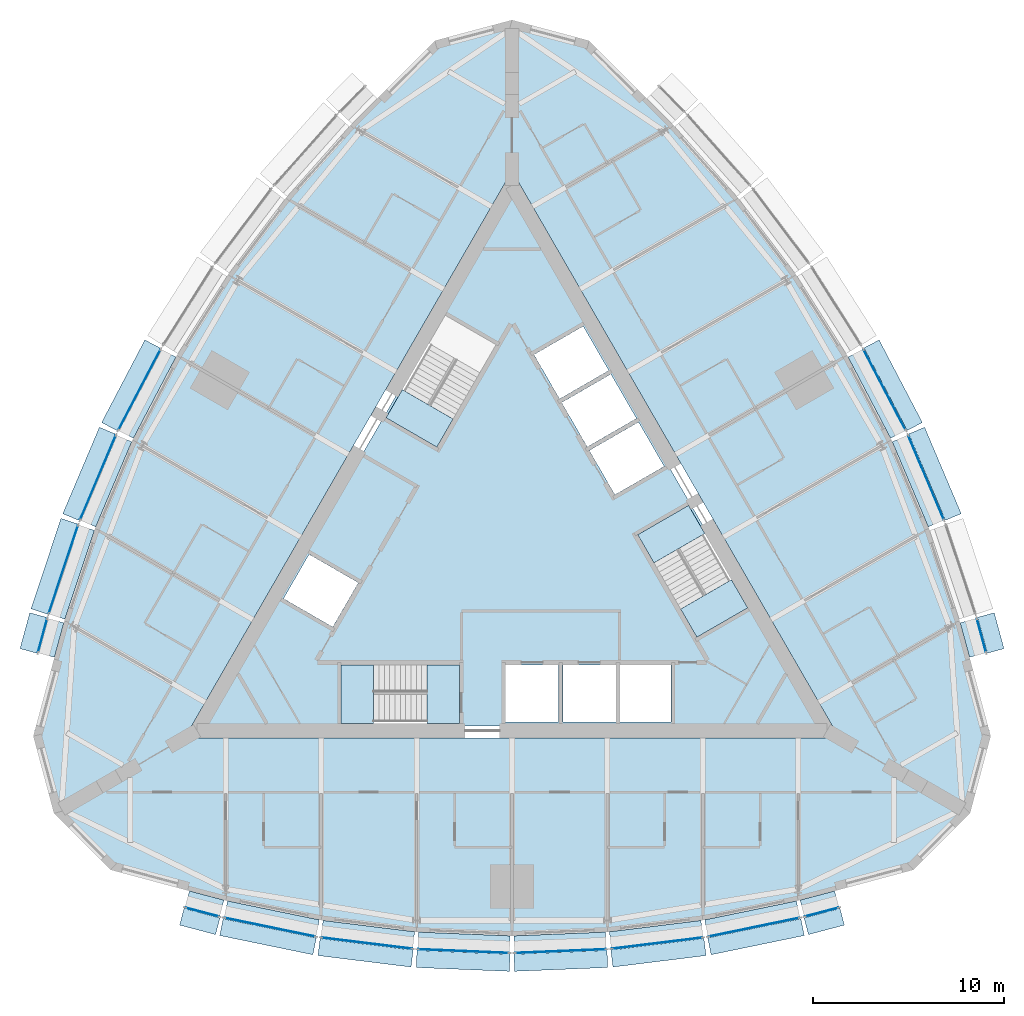
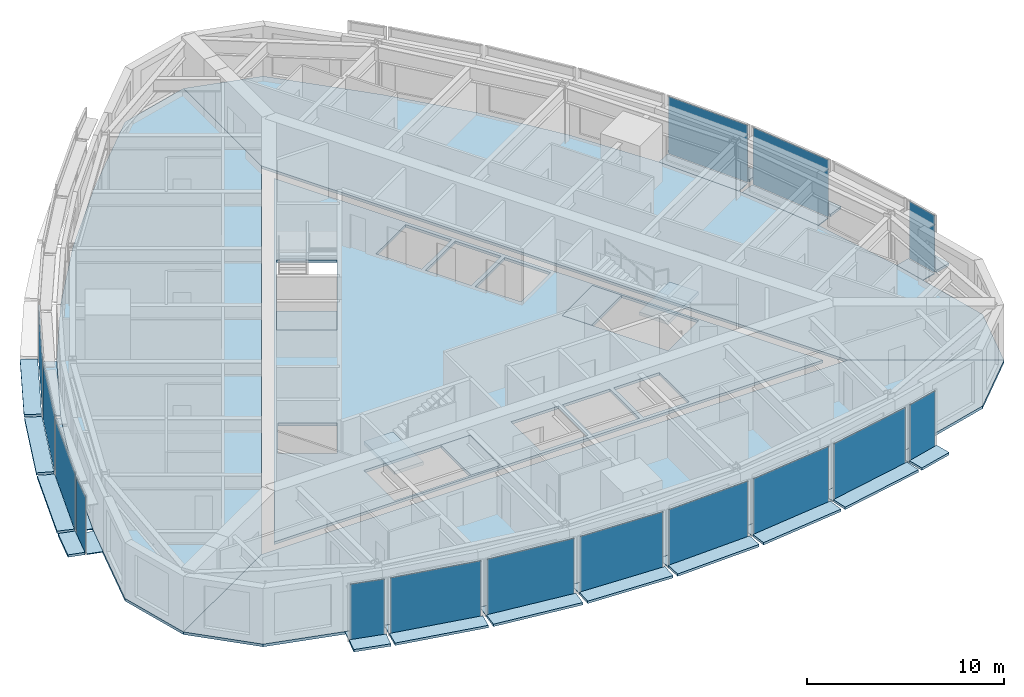
# One storey, part 7 of 15: 45 plates, 9 slabs, 18 elements without a shape of their own.
"""IFC4 building model written with IfcOpenShell, lengths in metres."""

from ifc_helpers import new_model, si_unit, direction, frame, origin, origin_2d, place, context, subcontext, project, spatial, polyline, rectangle, outline, extrude, material, layer, layer_set, type_object, element, aggregate, save


model = new_model("IFC4")

# Units and contexts
model_context = context("Model", 3, precision=1e-05, world=origin(), true_north=direction((0.0, 1.0)))
body_context = subcontext(model_context, "Body", "Model", "MODEL_VIEW")
ifc_project = project(units=[si_unit("LENGTHUNIT", "METRE"), si_unit("AREAUNIT", "SQUARE_METRE"), si_unit("VOLUMEUNIT", "CUBIC_METRE"), si_unit("PLANEANGLEUNIT", "RADIAN"), si_unit("MASSUNIT", "GRAM", prefix="KILO")], contexts=[model_context])

# Site, building, storey
site_placement = place(None, origin())
site = spatial("IfcSite", under=ifc_project, at=site_placement, CompositionType="ELEMENT")
building_placement = place(site_placement, origin())
building = spatial("IfcBuilding", under=site, at=building_placement, Name="Trikona Tower", CompositionType="ELEMENT")
storey_placement = place(building_placement, frame((0.0, 0.0, 222.5)))
storey = spatial("IfcBuildingStorey", under=building, at=storey_placement, Name="L59", CompositionType="ELEMENT", Elevation=222.5)

# Plates
ifc_material_1 = material(Name="Aluminium bar grating", Category="aluminium")
ifc_layer_1 = layer(ifc_material_1, 0.050048828125)
ifc_layer_set_1 = layer_set([ifc_layer_1], Name="Cavity catwalk grating")
plate_type_1 = type_object("IfcPlateType", Name="Cavity catwalk grating", PredefinedType="USERDEFINED", material=ifc_layer_set_1)
plate_1_placement = place(storey_placement, frame((-16.10693359375, -18.5673828125, -0.0498046875), z_axis=(0.0, 0.0, 1.0), x_axis=(0.966993038714, -0.254802792527, 0.0)))
element("IfcPlate", 1, at=plate_1_placement, inside=storey, type_object=plate_type_1, Name="Cavity catwalk L59-00", ObjectType="CATWALK GRATING", PredefinedType="USERDEFINED", context=body_context, shape_type="SweptSolid", body=[
    extrude(rectangle(XDim=1.868408203125, YDim=0.840087890625, at=origin_2d()), origin(), (0.0, 0.0, 1.0), 0.050048828125),
])
plate_2_placement = place(storey_placement, frame((-12.584716796875, -19.35107421875, -0.0498046875), z_axis=(0.0, 0.0, 1.0), x_axis=(0.979457514864, -0.201650629992, 0.0)))
element("IfcPlate", 2, at=plate_2_placement, inside=storey, type_object=plate_type_1, Name="Cavity catwalk L59-01", ObjectType="CATWALK GRATING", PredefinedType="USERDEFINED", context=body_context, shape_type="SweptSolid", body=[
    extrude(rectangle(XDim=4.90478515625, YDim=0.840087890625, at=origin_2d()), origin(), (0.0, 0.0, 1.0), 0.050048828125),
])
plate_3_placement = place(storey_placement, frame((-7.551513671875, -20.179931640625, -0.0498046875), z_axis=(0.0, 0.0, 1.0), x_axis=(0.992455266199, -0.122607277901, 0.0)))
element("IfcPlate", 3, at=plate_3_placement, inside=storey, type_object=plate_type_1, Name="Cavity catwalk L59-02", ObjectType="CATWALK GRATING", PredefinedType="USERDEFINED", context=body_context, shape_type="SweptSolid", body=[
    extrude(rectangle(XDim=4.837890625, YDim=0.840087890625, at=origin_2d()), origin(), (0.0, 0.0, 1.0), 0.050048828125),
])
for number, where, z_axis, x_axis, name in (
    (4, (-2.517333984375, -20.594482421875, -0.0498046875), (0.0, 0.0, 1.0), (0.999153186307, -0.041144991109, 0.0), "Cavity catwalk L59-03"),
    (5, (2.517333984375, -20.594482421875, -0.0498046875), (0.0, 0.0, 1.0), (0.999153186307, 0.041144991109, 0.0), "Cavity catwalk L59-04"),
):
    element("IfcPlate", number, at=place(storey_placement, frame(where, z_axis=z_axis, x_axis=x_axis)), inside=storey, type_object=plate_type_1, Name=name, ObjectType="CATWALK GRATING", PredefinedType="USERDEFINED", context=body_context, shape_type="SweptSolid", body=[
        extrude(rectangle(XDim=4.80419921875, YDim=0.840087890625, at=origin_2d()), origin(), (0.0, 0.0, 1.0), 0.050048828125),
    ])
plate_4_placement = place(storey_placement, frame((7.551513671875, -20.179931640625, -0.0498046875), z_axis=(0.0, 0.0, 1.0), x_axis=(0.992455266199, 0.122607277901, 0.0)))
element("IfcPlate", 6, at=plate_4_placement, inside=storey, type_object=plate_type_1, Name="Cavity catwalk L59-05", ObjectType="CATWALK GRATING", PredefinedType="USERDEFINED", context=body_context, shape_type="SweptSolid", body=[
    extrude(rectangle(XDim=4.837890625, YDim=0.840087890625, at=origin_2d()), origin(), (0.0, 0.0, 1.0), 0.050048828125),
])
plate_5_placement = place(storey_placement, frame((12.584716796875, -19.35107421875, -0.0498046875), z_axis=(0.0, 0.0, 1.0), x_axis=(0.979457514864, 0.201650629992, 0.0)))
element("IfcPlate", 7, at=plate_5_placement, inside=storey, type_object=plate_type_1, Name="Cavity catwalk L59-06", ObjectType="CATWALK GRATING", PredefinedType="USERDEFINED", context=body_context, shape_type="SweptSolid", body=[
    extrude(rectangle(XDim=4.90478515625, YDim=0.840087890625, at=origin_2d()), origin(), (0.0, 0.0, 1.0), 0.050048828125),
])
for number, where, z_axis, x_axis, name in (
    (8, (16.10693359375, -18.5673828125, -0.0498046875), (0.0, 0.0, 1.0), (0.966993038714, 0.254802792527, 0.0), "Cavity catwalk L59-07"),
    (9, (24.13330078125, -4.665283203125, -0.0498046875), (0.0, 0.0, 1.0), (-0.262822408229, 0.964844226667, 0.0), "Cavity catwalk L59-12"),
):
    element("IfcPlate", number, at=place(storey_placement, frame(where, z_axis=z_axis, x_axis=x_axis)), inside=storey, type_object=plate_type_1, Name=name, ObjectType="CATWALK GRATING", PredefinedType="USERDEFINED", context=body_context, shape_type="SweptSolid", body=[
        extrude(rectangle(XDim=1.868408203125, YDim=0.840087890625, at=origin_2d()), origin(), (0.0, 0.0, 1.0), 0.050048828125),
    ])
plate_6_placement = place(storey_placement, frame((21.252197265625, 3.55029296875, -0.0498046875), z_axis=(0.0, 0.0, 1.0), x_axis=(-0.390051437015, 0.920793069306, 0.0)))
element("IfcPlate", 10, at=plate_6_placement, inside=storey, type_object=plate_type_1, Name="Cavity catwalk L59-14", ObjectType="CATWALK GRATING", PredefinedType="USERDEFINED", context=body_context, shape_type="SweptSolid", body=[
    extrude(rectangle(XDim=4.837890625, YDim=0.840087890625, at=origin_2d()), origin(), (0.0, 0.0, 1.0), 0.050048828125),
])
for number, where, z_axis, x_axis, name in (
    (11, (19.093994140625, 8.1171875, -0.0498046875), (0.0, 0.0, 1.0), (-0.463951716224, 0.885860488459, 0.0), "Cavity catwalk L59-15"),
    (12, (-19.093994140625, 8.1171875, -0.0498046875), (0.0, 0.0, 1.0), (-0.463951716224, -0.885860488459, 0.0), "Cavity catwalk L59-28"),
):
    element("IfcPlate", number, at=place(storey_placement, frame(where, z_axis=z_axis, x_axis=x_axis)), inside=storey, type_object=plate_type_1, Name=name, ObjectType="CATWALK GRATING", PredefinedType="USERDEFINED", context=body_context, shape_type="SweptSolid", body=[
        extrude(rectangle(XDim=4.80419921875, YDim=0.840087890625, at=origin_2d()), origin(), (0.0, 0.0, 1.0), 0.050048828125),
    ])
plate_7_placement = place(storey_placement, frame((-21.252197265625, 3.55029296875, -0.0498046875), z_axis=(0.0, 0.0, 1.0), x_axis=(-0.390051437015, -0.920793069306, 0.0)))
element("IfcPlate", 13, at=plate_7_placement, inside=storey, type_object=plate_type_1, Name="Cavity catwalk L59-29", ObjectType="CATWALK GRATING", PredefinedType="USERDEFINED", context=body_context, shape_type="SweptSolid", body=[
    extrude(rectangle(XDim=4.837890625, YDim=0.840087890625, at=origin_2d()), origin(), (0.0, 0.0, 1.0), 0.050048828125),
])
plate_8_placement = place(storey_placement, frame((-23.05078125, -1.22314453125, -0.0498046875), z_axis=(0.0, 0.0, 1.0), x_axis=(-0.315092532747, -0.949060954737, 0.0)))
element("IfcPlate", 14, at=plate_8_placement, inside=storey, type_object=plate_type_1, Name="Cavity catwalk L59-30", ObjectType="CATWALK GRATING", PredefinedType="USERDEFINED", context=body_context, shape_type="SweptSolid", body=[
    extrude(rectangle(XDim=4.90478515625, YDim=0.840087890625, at=origin_2d()), origin(), (0.0, 0.0, 1.0), 0.050048828125),
])
plate_9_placement = place(storey_placement, frame((-24.13330078125, -4.665283203125, -0.0498046875), z_axis=(0.0, 0.0, 1.0), x_axis=(-0.262822408229, -0.964844226667, 0.0)))
element("IfcPlate", 15, at=plate_9_placement, inside=storey, type_object=plate_type_1, Name="Cavity catwalk L59-31", ObjectType="CATWALK GRATING", PredefinedType="USERDEFINED", context=body_context, shape_type="SweptSolid", body=[
    extrude(rectangle(XDim=1.868408203125, YDim=0.840087890625, at=origin_2d()), origin(), (0.0, 0.0, 1.0), 0.050048828125),
])

# Slabs
ifc_material_2 = material(Name="Concrete f'c 5000 psi lightweight on composite steel deck", Category="concrete")
ifc_layer_2 = layer(ifc_material_2, 0.1650390625)
ifc_layer_set_2 = layer_set([ifc_layer_2], Name="Composite floor slab 165")
slab_type_1 = type_object("IfcSlabType", Name="Composite floor slab 165", PredefinedType="FLOOR", material=ifc_layer_set_2)
slab_1_placement = place(storey_placement, frame((0.0, 0.0, -0.1650390625)))
element("IfcSlab", 16, at=slab_1_placement, inside=storey, type_object=slab_type_1, Name="Floor slab L59 core", PredefinedType="FLOOR", context=body_context, shape_type="SweptSolid", body=[
    extrude(outline(polyline([(-16.06689453125, -9.2763671875), (16.06689453125, -9.2763671875), (0.0, 18.552490234375), (-16.06689453125, -9.2763671875)]), holes=[polyline([(6.587158203125, 0.7431640625), (9.687255859375, -4.626220703125), (12.35009765625, -3.088623046875), (9.250244140625, 2.28076171875), (6.587158203125, 0.7431640625)]), polyline([(5.659912109375, -6.086181640625), (5.659912109375, -9.06640625), (8.340087890625, -9.06640625), (8.340087890625, -6.086181640625), (5.659912109375, -6.086181640625)]), polyline([(6.631591796875, 6.646240234375), (4.05078125, 5.15625), (5.390869140625, 2.835205078125), (7.9716796875, 4.3251953125), (6.631591796875, 6.646240234375)]), polyline([(6.521484375, 6.8369140625), (5.181640625, 9.15771484375), (2.600830078125, 7.667724609375), (3.94091796875, 5.3466796875), (6.521484375, 6.8369140625)]), polyline([(2.659912109375, -9.06640625), (5.43994140625, -9.06640625), (5.43994140625, -6.086181640625), (2.659912109375, -6.086181640625), (2.659912109375, -9.06640625)]), polyline([(2.490966796875, 7.858154296875), (5.071533203125, 9.34814453125), (3.731689453125, 11.669189453125), (1.15087890625, 10.17919921875), (2.490966796875, 7.858154296875)]), polyline([(2.43994140625, -9.06640625), (2.43994140625, -6.086181640625), (-0.340087890625, -6.086181640625), (-0.340087890625, -9.06640625), (2.43994140625, -9.06640625)]), polyline([(-3.937255859375, 5.3330078125), (-0.837158203125, 10.702392578125), (-3.500244140625, 12.239990234375), (-6.60009765625, 6.87060546875), (-3.937255859375, 5.3330078125)]), polyline([(-2.75, -6.076416015625), (-8.949951171875, -6.076416015625), (-8.949951171875, -9.1513671875), (-2.75, -9.1513671875), (-2.75, -6.076416015625)]), polyline([(-11.9716796875, -2.602783203125), (-9.390869140625, -4.093017578125), (-8.05078125, -1.77197265625), (-10.631591796875, -0.281982421875), (-11.9716796875, -2.602783203125)])]), origin(), (0.0, 0.0, 1.0), 0.1650390625),
])
slab_2_placement = place(storey_placement, frame((0.0, 0.0, -0.1650390625)))
element("IfcSlab", 17, at=slab_2_placement, inside=storey, type_object=slab_type_1, Name="Floor slab L59 south", PredefinedType="FLOOR", context=body_context, shape_type="SweptSolid", body=[
    extrude(outline(polyline([(21.04150390625, -16.81494140625), (24.0, -13.8564453125), (17.1494140625, -9.9013671875), (-17.1494140625, -9.9013671875), (-24.0, -13.8564453125), (-21.04150390625, -16.81494140625), (-17.0, -17.89794921875), (-15.0, -18.4248046875), (-10.0, -19.454345703125), (-5.0, -20.072021484375), (0.0, -20.27783203125), (5.0, -20.072021484375), (10.0, -19.454345703125), (15.0, -18.4248046875), (17.0, -17.89794921875), (21.04150390625, -16.81494140625)])), origin(), (0.0, 0.0, 1.0), 0.1650390625),
])
slab_3_placement = place(storey_placement, frame((0.0, 0.0, -0.1650390625)))
element("IfcSlab", 18, at=slab_3_placement, inside=storey, type_object=slab_type_1, Name="Floor slab L59 north-east", PredefinedType="FLOOR", context=body_context, shape_type="SweptSolid", body=[
    extrude(outline(polyline([(4.04150390625, 26.6298828125), (0.0, 27.712890625), (0.0, 19.802490234375), (17.1494140625, -9.9013671875), (24.0, -13.8564453125), (25.0830078125, -9.81494140625), (24.0, -5.7734375), (23.456298828125, -3.77783203125), (21.847900390625, 1.06689453125), (19.8828125, 5.705810546875), (17.56103515625, 10.138916015625), (14.8828125, 14.3662109375), (11.847900390625, 18.387451171875), (8.456298828125, 22.202880859375), (7.0, 23.67138671875), (4.04150390625, 26.6298828125)])), origin(), (0.0, 0.0, 1.0), 0.1650390625),
])
slab_4_placement = place(storey_placement, frame((0.0, 0.0, -0.1650390625)))
element("IfcSlab", 19, at=slab_4_placement, inside=storey, type_object=slab_type_1, Name="Floor slab L59 north-west", PredefinedType="FLOOR", context=body_context, shape_type="SweptSolid", body=[
    extrude(outline(polyline([(-7.0, 23.67138671875), (-8.456298828125, 22.202880859375), (-11.847900390625, 18.387451171875), (-14.8828125, 14.3662109375), (-17.56103515625, 10.138916015625), (-19.8828125, 5.705810546875), (-21.847900390625, 1.06689453125), (-23.456298828125, -3.77783203125), (-24.0, -5.7734375), (-25.0830078125, -9.81494140625), (-24.0, -13.8564453125), (-17.1494140625, -9.9013671875), (0.0, 19.802490234375), (0.0, 27.712890625), (-4.04150390625, 26.6298828125), (-7.0, 23.67138671875)])), origin(), (0.0, 0.0, 1.0), 0.1650390625),
])

# Curtain wall, plate
ifc_material_3 = material(Name="Aluminium curtain wall system", Category="aluminium")
curtain_wall_type = type_object("IfcCurtainWallType", Name="Curtain wall DS3", PredefinedType="NOTDEFINED", material=ifc_material_3)
curtain_wall_1_placement = place(storey_placement, origin())
curtain_wall_1 = element("IfcCurtainWall", 20, at=curtain_wall_1_placement, inside=storey, type_object=curtain_wall_type, Name="Curtain wall DS3 L59", PredefinedType="NOTDEFINED")
ifc_material_4 = material(Name="Laminated clear glass", Category="glass")
ifc_layer_3 = layer(ifc_material_4, 0.028076171875)
ifc_layer_set_3 = layer_set([ifc_layer_3], Name="Glass panel DS3")
plate_type_2 = type_object("IfcPlateType", Name="Glass panel DS3", PredefinedType="CURTAIN_PANEL", material=ifc_layer_set_3)
plate_10_placement = place(storey_placement, frame((-16.229248046875, -19.03173828125, 0.0), z_axis=(0.0, 0.0, 1.0), x_axis=(0.966997369647, -0.25478635579, 0.0)))
plate_10 = element("IfcPlate", 21, at=plate_10_placement, type_object=plate_type_2, Name="CW-DS3 panel 1.1", PredefinedType="CURTAIN_PANEL", context=body_context, shape_type="SweptSolid", body=[
    extrude(rectangle(XDim=1.808349609375, YDim=0.028076171875, at=origin_2d()), origin(), (0.0, 0.0, 1.0), 3.530029296875),
])
aggregate(curtain_wall_1, [plate_10])

curtain_wall_2_placement = place(storey_placement, origin())
curtain_wall_2 = element("IfcCurtainWall", 22, at=curtain_wall_2_placement, inside=storey, type_object=curtain_wall_type, Name="Curtain wall DS3 L59", PredefinedType="NOTDEFINED")
plate_11_placement = place(storey_placement, frame((-12.681396484375, -19.821044921875, 0.0), z_axis=(0.0, 0.0, 1.0), x_axis=(0.979457043256, -0.201652920672, 0.0)))
plate_11 = element("IfcPlate", 23, at=plate_11_placement, type_object=plate_type_2, Name="CW-DS3 panel 1.1", PredefinedType="CURTAIN_PANEL", context=body_context, shape_type="SweptSolid", body=[
    extrude(rectangle(XDim=4.8447265625, YDim=0.028076171875, at=origin_2d()), origin(), (0.0, 0.0, 1.0), 3.530029296875),
])
aggregate(curtain_wall_2, [plate_11])

curtain_wall_3_placement = place(storey_placement, origin())
curtain_wall_3 = element("IfcCurtainWall", 24, at=curtain_wall_3_placement, inside=storey, type_object=curtain_wall_type, Name="Curtain wall DS3 L59", PredefinedType="NOTDEFINED")
plate_12_placement = place(storey_placement, frame((-7.6103515625, -20.656494140625, 0.0), z_axis=(0.0, 0.0, 1.0), x_axis=(0.992454850785, -0.122610640458, 0.0)))
plate_12 = element("IfcPlate", 25, at=plate_12_placement, type_object=plate_type_2, Name="CW-DS3 panel 1.1", PredefinedType="CURTAIN_PANEL", context=body_context, shape_type="SweptSolid", body=[
    extrude(rectangle(XDim=4.778076171875, YDim=0.028076171875, at=origin_2d()), origin(), (0.0, 0.0, 1.0), 3.530029296875),
])
aggregate(curtain_wall_3, [plate_12])

curtain_wall_4_placement = place(storey_placement, origin())
curtain_wall_4 = element("IfcCurtainWall", 26, at=curtain_wall_4_placement, inside=storey, type_object=curtain_wall_type, Name="Curtain wall DS3 L59", PredefinedType="NOTDEFINED")
plate_13_placement = place(storey_placement, frame((-2.537109375, -21.07421875, 0.0), z_axis=(0.0, 0.0, 1.0), x_axis=(0.999152865157, -0.04115278907, 0.0)))
plate_13 = element("IfcPlate", 27, at=plate_13_placement, type_object=plate_type_2, Name="CW-DS3 panel 1.1", PredefinedType="CURTAIN_PANEL", context=body_context, shape_type="SweptSolid", body=[
    extrude(rectangle(XDim=4.744140625, YDim=0.028076171875, at=origin_2d()), origin(), (0.0, 0.0, 1.0), 3.530029296875),
])
aggregate(curtain_wall_4, [plate_13])

curtain_wall_5_placement = place(storey_placement, origin())
curtain_wall_5 = element("IfcCurtainWall", 28, at=curtain_wall_5_placement, inside=storey, type_object=curtain_wall_type, Name="Curtain wall DS3 L59", PredefinedType="NOTDEFINED")
plate_14_placement = place(storey_placement, frame((2.537109375, -21.07421875, 0.0), z_axis=(0.0, 0.0, 1.0), x_axis=(0.999152865157, 0.04115278907, 0.0)))
plate_14 = element("IfcPlate", 29, at=plate_14_placement, type_object=plate_type_2, Name="CW-DS3 panel 1.1", PredefinedType="CURTAIN_PANEL", context=body_context, shape_type="SweptSolid", body=[
    extrude(rectangle(XDim=4.744140625, YDim=0.028076171875, at=origin_2d()), origin(), (0.0, 0.0, 1.0), 3.530029296875),
])
aggregate(curtain_wall_5, [plate_14])

curtain_wall_6_placement = place(storey_placement, origin())
curtain_wall_6 = element("IfcCurtainWall", 30, at=curtain_wall_6_placement, inside=storey, type_object=curtain_wall_type, Name="Curtain wall DS3 L59", PredefinedType="NOTDEFINED")
plate_15_placement = place(storey_placement, frame((7.6103515625, -20.656494140625, 0.0), z_axis=(0.0, 0.0, 1.0), x_axis=(0.992454850785, 0.122610640458, 0.0)))
plate_15 = element("IfcPlate", 31, at=plate_15_placement, type_object=plate_type_2, Name="CW-DS3 panel 1.1", PredefinedType="CURTAIN_PANEL", context=body_context, shape_type="SweptSolid", body=[
    extrude(rectangle(XDim=4.778076171875, YDim=0.028076171875, at=origin_2d()), origin(), (0.0, 0.0, 1.0), 3.530029296875),
])
aggregate(curtain_wall_6, [plate_15])

curtain_wall_7_placement = place(storey_placement, origin())
curtain_wall_7 = element("IfcCurtainWall", 32, at=curtain_wall_7_placement, inside=storey, type_object=curtain_wall_type, Name="Curtain wall DS3 L59", PredefinedType="NOTDEFINED")
plate_16_placement = place(storey_placement, frame((12.681396484375, -19.821044921875, 0.0), z_axis=(0.0, 0.0, 1.0), x_axis=(0.979457043256, 0.201652920672, 0.0)))
plate_16 = element("IfcPlate", 33, at=plate_16_placement, type_object=plate_type_2, Name="CW-DS3 panel 1.1", PredefinedType="CURTAIN_PANEL", context=body_context, shape_type="SweptSolid", body=[
    extrude(rectangle(XDim=4.8447265625, YDim=0.028076171875, at=origin_2d()), origin(), (0.0, 0.0, 1.0), 3.530029296875),
])
aggregate(curtain_wall_7, [plate_16])

curtain_wall_8_placement = place(storey_placement, origin())
curtain_wall_8 = element("IfcCurtainWall", 34, at=curtain_wall_8_placement, inside=storey, type_object=curtain_wall_type, Name="Curtain wall DS3 L59", PredefinedType="NOTDEFINED")
plate_17_placement = place(storey_placement, frame((16.229248046875, -19.03173828125, 0.0), z_axis=(0.0, 0.0, 1.0), x_axis=(0.966997369647, 0.25478635579, 0.0)))
plate_17 = element("IfcPlate", 35, at=plate_17_placement, type_object=plate_type_2, Name="CW-DS3 panel 1.1", PredefinedType="CURTAIN_PANEL", context=body_context, shape_type="SweptSolid", body=[
    extrude(rectangle(XDim=1.808349609375, YDim=0.028076171875, at=origin_2d()), origin(), (0.0, 0.0, 1.0), 3.530029296875),
])
aggregate(curtain_wall_8, [plate_17])

curtain_wall_9_placement = place(storey_placement, origin())
curtain_wall_9 = element("IfcCurtainWall", 36, at=curtain_wall_9_placement, inside=storey, type_object=curtain_wall_type, Name="Curtain wall DS3 L59", PredefinedType="NOTDEFINED")
plate_18_placement = place(storey_placement, frame((24.596435546875, -4.539306640625, 0.0), z_axis=(0.0, 0.0, 1.0), x_axis=(-0.262843784676, 0.964838403494, 0.0)))
plate_18 = element("IfcPlate", 37, at=plate_18_placement, type_object=plate_type_2, Name="CW-DS3 panel 1.1", PredefinedType="CURTAIN_PANEL", context=body_context, shape_type="SweptSolid", body=[
    extrude(rectangle(XDim=1.808349609375, YDim=0.028076171875, at=origin_2d()), origin(), (0.0, 0.0, 1.0), 3.530029296875),
])
aggregate(curtain_wall_9, [plate_18])

curtain_wall_10_placement = place(storey_placement, origin())
curtain_wall_10 = element("IfcCurtainWall", 38, at=curtain_wall_10_placement, inside=storey, type_object=curtain_wall_type, Name="Curtain wall DS3 L59", PredefinedType="NOTDEFINED")
plate_19_placement = place(storey_placement, frame((21.694091796875, 3.737548828125, 0.0), z_axis=(0.0, 0.0, 1.0), x_axis=(-0.390053199266, 0.920792322808, 0.0)))
plate_19 = element("IfcPlate", 39, at=plate_19_placement, type_object=plate_type_2, Name="CW-DS3 panel 1.1", PredefinedType="CURTAIN_PANEL", context=body_context, shape_type="SweptSolid", body=[
    extrude(rectangle(XDim=4.778076171875, YDim=0.028076171875, at=origin_2d()), origin(), (0.0, 0.0, 1.0), 3.530029296875),
])
aggregate(curtain_wall_10, [plate_19])

curtain_wall_11_placement = place(storey_placement, origin())
curtain_wall_11 = element("IfcCurtainWall", 40, at=curtain_wall_11_placement, inside=storey, type_object=curtain_wall_type, Name="Curtain wall DS3 L59", PredefinedType="NOTDEFINED")
plate_20_placement = place(storey_placement, frame((19.519287109375, 8.33984375, 0.0), z_axis=(0.0, 0.0, 1.0), x_axis=(-0.463948084434, 0.885862390527, 0.0)))
plate_20 = element("IfcPlate", 41, at=plate_20_placement, type_object=plate_type_2, Name="CW-DS3 panel 1.1", PredefinedType="CURTAIN_PANEL", context=body_context, shape_type="SweptSolid", body=[
    extrude(rectangle(XDim=4.744140625, YDim=0.028076171875, at=origin_2d()), origin(), (0.0, 0.0, 1.0), 3.530029296875),
])
aggregate(curtain_wall_11, [plate_20])

curtain_wall_12_placement = place(storey_placement, origin())
curtain_wall_12 = element("IfcCurtainWall", 42, at=curtain_wall_12_placement, inside=storey, type_object=curtain_wall_type, Name="Curtain wall DS3 L59", PredefinedType="NOTDEFINED")
plate_21_placement = place(storey_placement, frame((-19.519287109375, 8.33984375, 0.0), z_axis=(0.0, 0.0, 1.0), x_axis=(-0.463948084434, -0.885862390527, 0.0)))
plate_21 = element("IfcPlate", 43, at=plate_21_placement, type_object=plate_type_2, Name="CW-DS3 panel 1.1", PredefinedType="CURTAIN_PANEL", context=body_context, shape_type="SweptSolid", body=[
    extrude(rectangle(XDim=4.744140625, YDim=0.028076171875, at=origin_2d()), origin(), (0.0, 0.0, 1.0), 3.530029296875),
])
aggregate(curtain_wall_12, [plate_21])

curtain_wall_13_placement = place(storey_placement, origin())
curtain_wall_13 = element("IfcCurtainWall", 44, at=curtain_wall_13_placement, inside=storey, type_object=curtain_wall_type, Name="Curtain wall DS3 L59", PredefinedType="NOTDEFINED")
plate_22_placement = place(storey_placement, frame((-21.694091796875, 3.737548828125, 0.0), z_axis=(0.0, 0.0, 1.0), x_axis=(-0.390053199266, -0.920792322808, 0.0)))
plate_22 = element("IfcPlate", 45, at=plate_22_placement, type_object=plate_type_2, Name="CW-DS3 panel 1.1", PredefinedType="CURTAIN_PANEL", context=body_context, shape_type="SweptSolid", body=[
    extrude(rectangle(XDim=4.778076171875, YDim=0.028076171875, at=origin_2d()), origin(), (0.0, 0.0, 1.0), 3.530029296875),
])
aggregate(curtain_wall_13, [plate_22])

curtain_wall_14_placement = place(storey_placement, origin())
curtain_wall_14 = element("IfcCurtainWall", 46, at=curtain_wall_14_placement, inside=storey, type_object=curtain_wall_type, Name="Curtain wall DS3 L59", PredefinedType="NOTDEFINED")
plate_23_placement = place(storey_placement, frame((-23.50634765625, -1.072021484375, 0.0), z_axis=(0.0, 0.0, 1.0), x_axis=(-0.315078038687, -0.949065766708, 0.0)))
plate_23 = element("IfcPlate", 47, at=plate_23_placement, type_object=plate_type_2, Name="CW-DS3 panel 1.1", PredefinedType="CURTAIN_PANEL", context=body_context, shape_type="SweptSolid", body=[
    extrude(rectangle(XDim=4.8447265625, YDim=0.028076171875, at=origin_2d()), origin(), (0.0, 0.0, 1.0), 3.530029296875),
])
aggregate(curtain_wall_14, [plate_23])

curtain_wall_15_placement = place(storey_placement, origin())
curtain_wall_15 = element("IfcCurtainWall", 48, at=curtain_wall_15_placement, inside=storey, type_object=curtain_wall_type, Name="Curtain wall DS3 L59", PredefinedType="NOTDEFINED")
plate_24_placement = place(storey_placement, frame((-24.596435546875, -4.539306640625, 0.0), z_axis=(0.0, 0.0, 1.0), x_axis=(-0.262843784676, -0.964838403494, 0.0)))
plate_24 = element("IfcPlate", 49, at=plate_24_placement, type_object=plate_type_2, Name="CW-DS3 panel 1.1", PredefinedType="CURTAIN_PANEL", context=body_context, shape_type="SweptSolid", body=[
    extrude(rectangle(XDim=1.808349609375, YDim=0.028076171875, at=origin_2d()), origin(), (0.0, 0.0, 1.0), 3.530029296875),
])
aggregate(curtain_wall_15, [plate_24])

# Plates
ifc_material_5 = material(Name="Aluminium plate fin, pale anodised, on stainless steel outriggers", Category="steel")
ifc_layer_4 = layer(ifc_material_5, 0.14990234375)
ifc_layer_set_4 = layer_set([ifc_layer_4], Name="Outer skin fin 900")
plate_type_3 = type_object("IfcPlateType", Name="Outer skin fin 900", PredefinedType="USERDEFINED", material=ifc_layer_set_4)
plate_25_placement = place(storey_placement, frame((-16.359375, -19.52490234375, 0.0), z_axis=(0.0, 0.0, 1.0), x_axis=(0.966993038714, -0.254802792527, 0.0)))
element("IfcPlate", 50, at=plate_25_placement, inside=storey, type_object=plate_type_3, Name="Outer skin fin L59-00", ObjectType="FIN", PredefinedType="USERDEFINED", context=body_context, shape_type="SweptSolid", body=[
    extrude(rectangle(XDim=1.9482421875, YDim=0.89990234375, at=origin_2d()), origin(), (0.0, 0.0, 1.0), 0.14990234375),
])
plate_26_placement = place(storey_placement, frame((-12.7841796875, -20.320556640625, 0.0), z_axis=(0.0, 0.0, 1.0), x_axis=(0.979457514864, -0.201650629992, 0.0)))
element("IfcPlate", 51, at=plate_26_placement, inside=storey, type_object=plate_type_3, Name="Outer skin fin L59-01", ObjectType="FIN", PredefinedType="USERDEFINED", context=body_context, shape_type="SweptSolid", body=[
    extrude(rectangle(XDim=4.98486328125, YDim=0.89990234375, at=origin_2d()), origin(), (0.0, 0.0, 1.0), 0.14990234375),
])
plate_27_placement = place(storey_placement, frame((-7.6728515625, -21.16259765625, 0.0), z_axis=(0.0, 0.0, 1.0), x_axis=(0.992455266199, -0.122607277901, 0.0)))
element("IfcPlate", 52, at=plate_27_placement, inside=storey, type_object=plate_type_3, Name="Outer skin fin L59-02", ObjectType="FIN", PredefinedType="USERDEFINED", context=body_context, shape_type="SweptSolid", body=[
    extrude(rectangle(XDim=4.91796875, YDim=0.89990234375, at=origin_2d()), origin(), (0.0, 0.0, 1.0), 0.14990234375),
])
for number, where, z_axis, x_axis, name in (
    (53, (-2.55810546875, -21.583740234375, 0.0), (0.0, 0.0, 1.0), (0.999153186307, -0.041144991109, 0.0), "Outer skin fin L59-03"),
    (54, (2.55810546875, -21.583740234375, 0.0), (0.0, 0.0, 1.0), (0.999153186307, 0.041144991109, 0.0), "Outer skin fin L59-04"),
):
    element("IfcPlate", number, at=place(storey_placement, frame(where, z_axis=z_axis, x_axis=x_axis)), inside=storey, type_object=plate_type_3, Name=name, ObjectType="FIN", PredefinedType="USERDEFINED", context=body_context, shape_type="SweptSolid", body=[
        extrude(rectangle(XDim=4.88427734375, YDim=0.89990234375, at=origin_2d()), origin(), (0.0, 0.0, 1.0), 0.14990234375),
    ])
plate_28_placement = place(storey_placement, frame((7.6728515625, -21.16259765625, 0.0), z_axis=(0.0, 0.0, 1.0), x_axis=(0.992455266199, 0.122607277901, 0.0)))
element("IfcPlate", 55, at=plate_28_placement, inside=storey, type_object=plate_type_3, Name="Outer skin fin L59-05", ObjectType="FIN", PredefinedType="USERDEFINED", context=body_context, shape_type="SweptSolid", body=[
    extrude(rectangle(XDim=4.91796875, YDim=0.89990234375, at=origin_2d()), origin(), (0.0, 0.0, 1.0), 0.14990234375),
])
plate_29_placement = place(storey_placement, frame((12.7841796875, -20.320556640625, 0.0), z_axis=(0.0, 0.0, 1.0), x_axis=(0.979457514864, 0.201650629992, 0.0)))
element("IfcPlate", 56, at=plate_29_placement, inside=storey, type_object=plate_type_3, Name="Outer skin fin L59-06", ObjectType="FIN", PredefinedType="USERDEFINED", context=body_context, shape_type="SweptSolid", body=[
    extrude(rectangle(XDim=4.98486328125, YDim=0.89990234375, at=origin_2d()), origin(), (0.0, 0.0, 1.0), 0.14990234375),
])
for number, where, z_axis, x_axis, name in (
    (57, (16.359375, -19.52490234375, 0.0), (0.0, 0.0, 1.0), (0.966993038714, 0.254802792527, 0.0), "Outer skin fin L59-07"),
    (58, (25.088623046875, -4.405029296875, 0.0), (0.0, 0.0, 1.0), (-0.262822408229, 0.964844226667, 0.0), "Outer skin fin L59-12"),
):
    element("IfcPlate", number, at=place(storey_placement, frame(where, z_axis=z_axis, x_axis=x_axis)), inside=storey, type_object=plate_type_3, Name=name, ObjectType="FIN", PredefinedType="USERDEFINED", context=body_context, shape_type="SweptSolid", body=[
        extrude(rectangle(XDim=1.9482421875, YDim=0.89990234375, at=origin_2d()), origin(), (0.0, 0.0, 1.0), 0.14990234375),
    ])
plate_30_placement = place(storey_placement, frame((22.163818359375, 3.936279296875, 0.0), z_axis=(0.0, 0.0, 1.0), x_axis=(-0.390051437015, 0.920793069306, 0.0)))
element("IfcPlate", 59, at=plate_30_placement, inside=storey, type_object=plate_type_3, Name="Outer skin fin L59-14", ObjectType="FIN", PredefinedType="USERDEFINED", context=body_context, shape_type="SweptSolid", body=[
    extrude(rectangle(XDim=4.91796875, YDim=0.89990234375, at=origin_2d()), origin(), (0.0, 0.0, 1.0), 0.14990234375),
])
for number, where, z_axis, x_axis, name in (
    (60, (19.970947265625, 8.57666015625, 0.0), (0.0, 0.0, 1.0), (-0.463951716224, 0.885860488459, 0.0), "Outer skin fin L59-15"),
    (61, (-19.970947265625, 8.57666015625, 0.0), (0.0, 0.0, 1.0), (-0.463951716224, -0.885860488459, 0.0), "Outer skin fin L59-28"),
):
    element("IfcPlate", number, at=place(storey_placement, frame(where, z_axis=z_axis, x_axis=x_axis)), inside=storey, type_object=plate_type_3, Name=name, ObjectType="FIN", PredefinedType="USERDEFINED", context=body_context, shape_type="SweptSolid", body=[
        extrude(rectangle(XDim=4.88427734375, YDim=0.89990234375, at=origin_2d()), origin(), (0.0, 0.0, 1.0), 0.14990234375),
    ])
plate_31_placement = place(storey_placement, frame((-22.163818359375, 3.936279296875, 0.0), z_axis=(0.0, 0.0, 1.0), x_axis=(-0.390051437015, -0.920793069306, 0.0)))
element("IfcPlate", 62, at=plate_31_placement, inside=storey, type_object=plate_type_3, Name="Outer skin fin L59-29", ObjectType="FIN", PredefinedType="USERDEFINED", context=body_context, shape_type="SweptSolid", body=[
    extrude(rectangle(XDim=4.91796875, YDim=0.89990234375, at=origin_2d()), origin(), (0.0, 0.0, 1.0), 0.14990234375),
])
plate_32_placement = place(storey_placement, frame((-23.990234375, -0.9111328125, 0.0), z_axis=(0.0, 0.0, 1.0), x_axis=(-0.315092532747, -0.949060954737, 0.0)))
element("IfcPlate", 63, at=plate_32_placement, inside=storey, type_object=plate_type_3, Name="Outer skin fin L59-30", ObjectType="FIN", PredefinedType="USERDEFINED", context=body_context, shape_type="SweptSolid", body=[
    extrude(rectangle(XDim=4.98486328125, YDim=0.89990234375, at=origin_2d()), origin(), (0.0, 0.0, 1.0), 0.14990234375),
])
plate_33_placement = place(storey_placement, frame((-25.088623046875, -4.405029296875, 0.0), z_axis=(0.0, 0.0, 1.0), x_axis=(-0.262822408229, -0.964844226667, 0.0)))
element("IfcPlate", 64, at=plate_33_placement, inside=storey, type_object=plate_type_3, Name="Outer skin fin L59-31", ObjectType="FIN", PredefinedType="USERDEFINED", context=body_context, shape_type="SweptSolid", body=[
    extrude(rectangle(XDim=1.9482421875, YDim=0.89990234375, at=origin_2d()), origin(), (0.0, 0.0, 1.0), 0.14990234375),
])

# Stair, slabs
ifc_material_6 = material(Name="Concrete f'c 5000 psi", Category="concrete")
stair_type = type_object("IfcStairType", Name="Core stair", PredefinedType="HALF_TURN_STAIR", material=ifc_material_6)
stair_1_placement = place(storey_placement, origin())
stair_1 = element("IfcStair", 65, at=stair_1_placement, inside=storey, type_object=stair_type, Name="Stair A L59", PredefinedType="HALF_TURN_STAIR")
ifc_material_7 = material(Name="Concrete f'c 5000 psi", Category="concrete")
ifc_layer_5 = layer(ifc_material_7, 0.199951171875)
ifc_layer_set_5 = layer_set([ifc_layer_5], Name="Stair landing 200")
slab_type_2 = type_object("IfcSlabType", Name="Stair landing 200", PredefinedType="LANDING", material=ifc_layer_set_5)
slab_5_placement = place(storey_placement, frame((0.0, 0.0, -0.199951171875)))
slab_5 = element("IfcSlab", 66, at=slab_5_placement, type_object=slab_type_2, Name="ST-A landing 1", PredefinedType="LANDING", context=body_context, shape_type="SweptSolid", body=[
    extrude(outline(polyline([(-4.452880859375, -6.076416015625), (-2.75, -6.076416015625), (-2.75, -9.1513671875), (-4.452880859375, -9.1513671875), (-4.452880859375, -6.076416015625)])), origin(), (0.0, 0.0, 1.0), 0.199951171875),
])
slab_6_placement = place(storey_placement, frame((0.0, 0.0, 1.60009765625)))
slab_6 = element("IfcSlab", 67, at=slab_6_placement, type_object=slab_type_2, Name="ST-A landing 2", PredefinedType="LANDING", context=body_context, shape_type="SweptSolid", body=[
    extrude(outline(polyline([(-8.949951171875, -6.076416015625), (-7.2470703125, -6.076416015625), (-7.2470703125, -9.1513671875), (-8.949951171875, -9.1513671875), (-8.949951171875, -6.076416015625)])), origin(), (0.0, 0.0, 1.0), 0.199951171875),
])
aggregate(stair_1, [slab_5, slab_6])

stair_2_placement = place(storey_placement, origin())
stair_2 = element("IfcStair", 68, at=stair_2_placement, inside=storey, type_object=stair_type, Name="Stair B L59", PredefinedType="HALF_TURN_STAIR")
slab_7_placement = place(storey_placement, frame((0.0, 0.0, -0.199951171875)))
slab_7 = element("IfcSlab", 69, at=slab_7_placement, type_object=slab_type_2, Name="ST-B landing 1", PredefinedType="LANDING", context=body_context, shape_type="SweptSolid", body=[
    extrude(outline(polyline([(7.438720703125, -0.731689453125), (6.587158203125, 0.7431640625), (9.250244140625, 2.28076171875), (10.101806640625, 0.805908203125), (7.438720703125, -0.731689453125)])), origin(), (0.0, 0.0, 1.0), 0.199951171875),
])
slab_8_placement = place(storey_placement, frame((0.0, 0.0, 1.60009765625)))
slab_8 = element("IfcSlab", 70, at=slab_8_placement, type_object=slab_type_2, Name="ST-B landing 2", PredefinedType="LANDING", context=body_context, shape_type="SweptSolid", body=[
    extrude(outline(polyline([(9.687255859375, -4.626220703125), (8.835693359375, -3.1513671875), (11.498779296875, -1.61376953125), (12.35009765625, -3.088623046875), (9.687255859375, -4.626220703125)])), origin(), (0.0, 0.0, 1.0), 0.199951171875),
])
aggregate(stair_2, [slab_7, slab_8])

# Stair, slab
stair_3_placement = place(storey_placement, origin())
stair_3 = element("IfcStair", 71, at=stair_3_placement, inside=storey, type_object=stair_type, Name="Stair C L59", PredefinedType="HALF_TURN_STAIR")
slab_9_placement = place(storey_placement, frame((0.0, 0.0, -0.199951171875)))
slab_9 = element("IfcSlab", 72, at=slab_9_placement, type_object=slab_type_2, Name="ST-C landing 1", PredefinedType="LANDING", context=body_context, shape_type="SweptSolid", body=[
    extrude(outline(polyline([(-3.085693359375, 6.807861328125), (-3.937255859375, 5.3330078125), (-6.60009765625, 6.87060546875), (-5.748779296875, 8.345458984375), (-3.085693359375, 6.807861328125)])), origin(), (0.0, 0.0, 1.0), 0.199951171875),
])
aggregate(stair_3, [slab_9])

save(model, "model.ifc")
